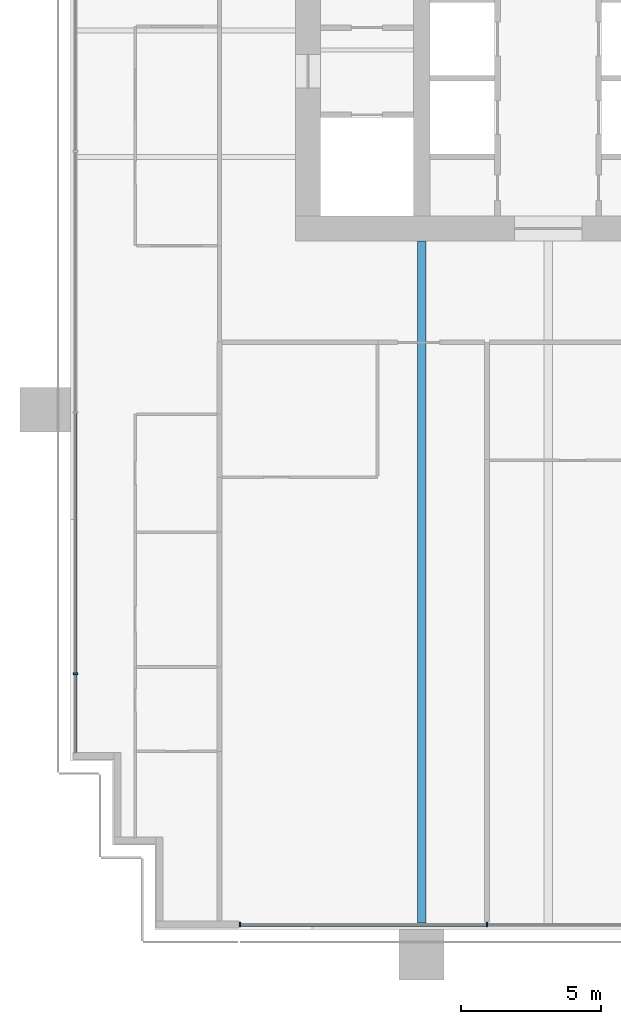
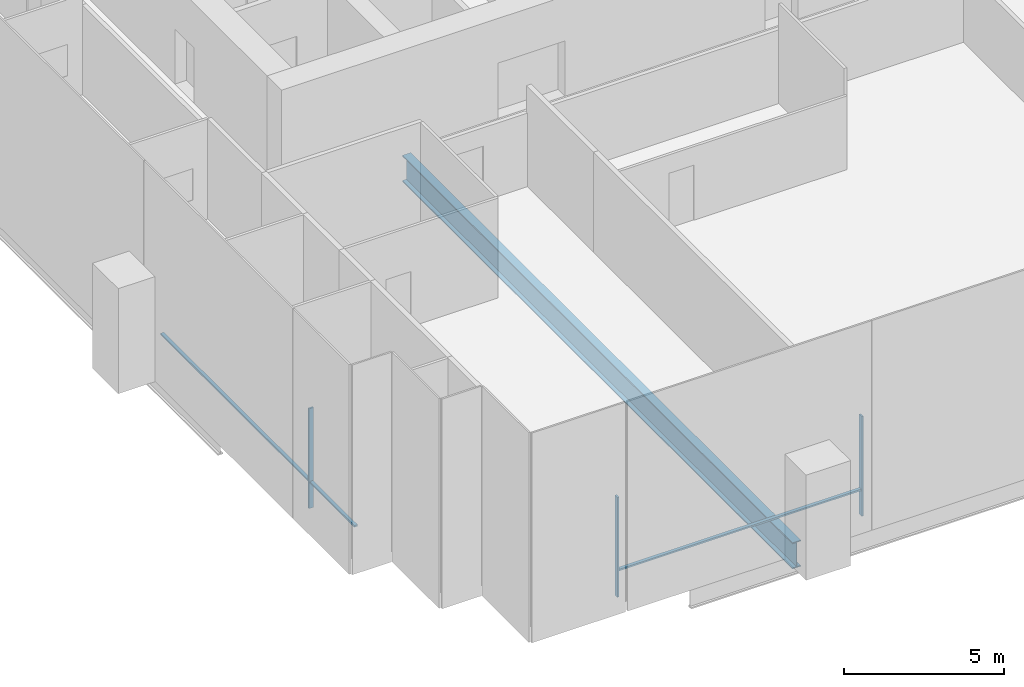
# One storey, part 2 of 19: 6 members, 1 beam, 2 elements without a shape of their own.
"""IFC4 building model written with IfcOpenShell, lengths in metres."""

from ifc_helpers import new_model, si_unit, direction, frame, origin, origin_2d, place, context, subcontext, project, spatial, rectangle, i_section, extrude, material, material_profile, profile_set, type_object, element, aggregate, save


model = new_model("IFC4")

# Units and contexts
model_context = context("Model", 3, precision=1e-05, world=origin(), true_north=direction((0.0, 1.0)))
body_context = subcontext(model_context, "Body", "Model", "MODEL_VIEW")
ifc_project = project(units=[si_unit("LENGTHUNIT", "METRE"), si_unit("AREAUNIT", "SQUARE_METRE"), si_unit("VOLUMEUNIT", "CUBIC_METRE"), si_unit("PLANEANGLEUNIT", "RADIAN"), si_unit("MASSUNIT", "GRAM", prefix="KILO")], contexts=[model_context])

# Site, building, storey
site_placement = place(None, origin())
site = spatial("IfcSite", under=ifc_project, at=site_placement, CompositionType="ELEMENT")
building_placement = place(site_placement, origin())
building = spatial("IfcBuilding", under=site, at=building_placement, Name="Rattan Terrace Tower", CompositionType="ELEMENT")
storey_placement = place(building_placement, frame((0.0, 0.0, 91.699951171875)))
storey = spatial("IfcBuildingStorey", under=building, at=storey_placement, Name="L20", CompositionType="ELEMENT", Elevation=91.699951171875)

# Curtain wall, member
ifc_material_1 = material(Name="Aluminium and glass", Category="aluminium")
curtain_wall_type = type_object("IfcCurtainWallType", Name="Facade Unitised Curtain Wall", PredefinedType="NOTDEFINED", material=ifc_material_1)
curtain_wall_1_placement = place(storey_placement, origin())
curtain_wall_1 = element("IfcCurtainWall", 1, at=curtain_wall_1_placement, inside=storey, type_object=curtain_wall_type, Name="Curtain wall L20-3", PredefinedType="NOTDEFINED")
ifc_material_2 = material(Name="Aluminium", Category="aluminium")
ifc_material_profile_1 = material_profile(ifc_material_2, rectangle(XDim=0.06005859375, YDim=0.159912109375, at=origin_2d()), Name="Aluminium 60x160")
ifc_profile_set_1 = profile_set([ifc_material_profile_1], Name="Aluminium")
member_type_1 = type_object("IfcMemberType", Name="Facade CW Mullion 60x160", PredefinedType="MULLION", material=ifc_profile_set_1)
member_1_placement = place(storey_placement, frame((-25.830078125, -22.89990234375, 0.0), z_axis=(0.0, 0.0, 1.0), x_axis=(0.0, -1.0, 0.0)))
member_1 = element("IfcMember", 2, at=member_1_placement, type_object=member_type_1, Name="Mullion cwl-L20-003.4", PredefinedType="MULLION", context=body_context, shape_type="SweptSolid", body=[
    extrude(rectangle(XDim=0.06005859375, YDim=0.159912109375, at=origin_2d()), origin(), (0.0, 0.0, 1.0), 3.800048828125),
])

# Curtain wall, members
curtain_wall_2_placement = place(storey_placement, origin())
curtain_wall_2 = element("IfcCurtainWall", 3, at=curtain_wall_2_placement, inside=storey, type_object=curtain_wall_type, Name="Curtain wall L20-4", PredefinedType="NOTDEFINED")
member_2_placement = place(storey_placement, frame((-19.969970703125, -31.830078125, 0.0), z_axis=(0.0, 0.0, 1.0), x_axis=(1.0, 0.0, 0.0)))
member_2 = element("IfcMember", 4, at=member_2_placement, type_object=member_type_1, Name="Mullion cwl-L20-004.1", PredefinedType="MULLION", context=body_context, shape_type="SweptSolid", body=[
    extrude(rectangle(XDim=0.06005859375, YDim=0.159912109375, at=origin_2d()), origin(), (0.0, 0.0, 1.0), 3.800048828125),
])
member_3_placement = place(storey_placement, frame((-11.177001953125, -31.830078125, 0.0), z_axis=(0.0, 0.0, 1.0), x_axis=(1.0, 0.0, 0.0)))
member_3 = element("IfcMember", 5, at=member_3_placement, type_object=member_type_1, Name="Mullion cwl-L20-004.2", PredefinedType="MULLION", context=body_context, shape_type="SweptSolid", body=[
    extrude(rectangle(XDim=0.06005859375, YDim=0.159912109375, at=origin_2d()), origin(), (0.0, 0.0, 1.0), 3.800048828125),
])

# Member
ifc_material_3 = material(Name="Aluminium", Category="aluminium")
ifc_material_profile_2 = material_profile(ifc_material_3, rectangle(XDim=0.1201171875, YDim=0.06005859375, at=origin_2d()), Name="Aluminium 120x60")
ifc_profile_set_2 = profile_set([ifc_material_profile_2], Name="Aluminium")
member_type_2 = type_object("IfcMemberType", Name="Facade CW Transom 120x60", PredefinedType="USERDEFINED", material=ifc_profile_set_2)
member_4_placement = place(storey_placement, frame((-25.830078125, -13.6298828125, 1.0), z_axis=(0.0, -1.0, 0.0), x_axis=(1.0, 0.0, 0.0)))
member_4 = element("IfcMember", 6, at=member_4_placement, type_object=member_type_2, Name="Transom cwl-L20-003.3", ObjectType="TRANSOM", PredefinedType="USERDEFINED", context=body_context, shape_type="SweptSolid", body=[
    extrude(rectangle(XDim=0.1201171875, YDim=0.06005859375, at=origin_2d()), origin(), (0.0, 0.0, 1.0), 9.240234375),
])

member_5_placement = place(storey_placement, frame((-25.830078125, -22.929931640625, 1.0), z_axis=(0.0, -1.0, 0.0), x_axis=(1.0, 0.0, 0.0)))
member_5 = element("IfcMember", 7, at=member_5_placement, type_object=member_type_2, Name="Transom cwl-L20-003.4", ObjectType="TRANSOM", PredefinedType="USERDEFINED", context=body_context, shape_type="SweptSolid", body=[
    extrude(rectangle(XDim=0.1201171875, YDim=0.06005859375, at=origin_2d()), origin(), (0.0, 0.0, 1.0), 2.775146484375),
])

aggregate(curtain_wall_1, [member_1, member_4, member_5])

member_6_placement = place(storey_placement, frame((-19.93994140625, -31.830078125, 1.0), z_axis=(1.0, 0.0, 0.0), x_axis=(0.0, 1.0, 0.0)))
member_6 = element("IfcMember", 8, at=member_6_placement, type_object=member_type_2, Name="Transom cwl-L20-004.1", ObjectType="TRANSOM", PredefinedType="USERDEFINED", context=body_context, shape_type="SweptSolid", body=[
    extrude(rectangle(XDim=0.1201171875, YDim=0.06005859375, at=origin_2d()), origin(), (0.0, 0.0, 1.0), 8.73291015625),
])

aggregate(curtain_wall_2, [member_2, member_3, member_6])

# Beam
ifc_material_4 = material(Name="Steel S460", Category="steel")
ifc_material_profile_3 = material_profile(ifc_material_4, i_section(OverallWidth=0.300048828125, OverallDepth=1.0, WebThickness=0.013916015625, FlangeThickness=0.0400390625, at=origin_2d()), Name="PG 1000x300-14-40")
ifc_profile_set_3 = profile_set([ifc_material_profile_3], Name="Steel S460")
beam_type = type_object("IfcBeamType", Name="Frame floor beam PG 1000x300-14-40", PredefinedType="JOIST", material=ifc_profile_set_3)
beam_placement = place(storey_placement, frame((-13.5, -31.820068359375, -0.699951171875), z_axis=(0.0, 1.0, 0.0), x_axis=(-1.0, 0.0, 0.0)))
element("IfcBeam", 9, at=beam_placement, inside=storey, type_object=beam_type, Name="bm-L20-003", PredefinedType="JOIST", context=body_context, shape_type="SweptSolid", body=[
    extrude(i_section(OverallWidth=0.300048828125, OverallDepth=1.0, WebThickness=0.013916015625, FlangeThickness=0.0400390625, at=origin_2d()), origin(), (0.0, 0.0, 1.0), 24.320068359375),
])

save(model, "model.ifc")
